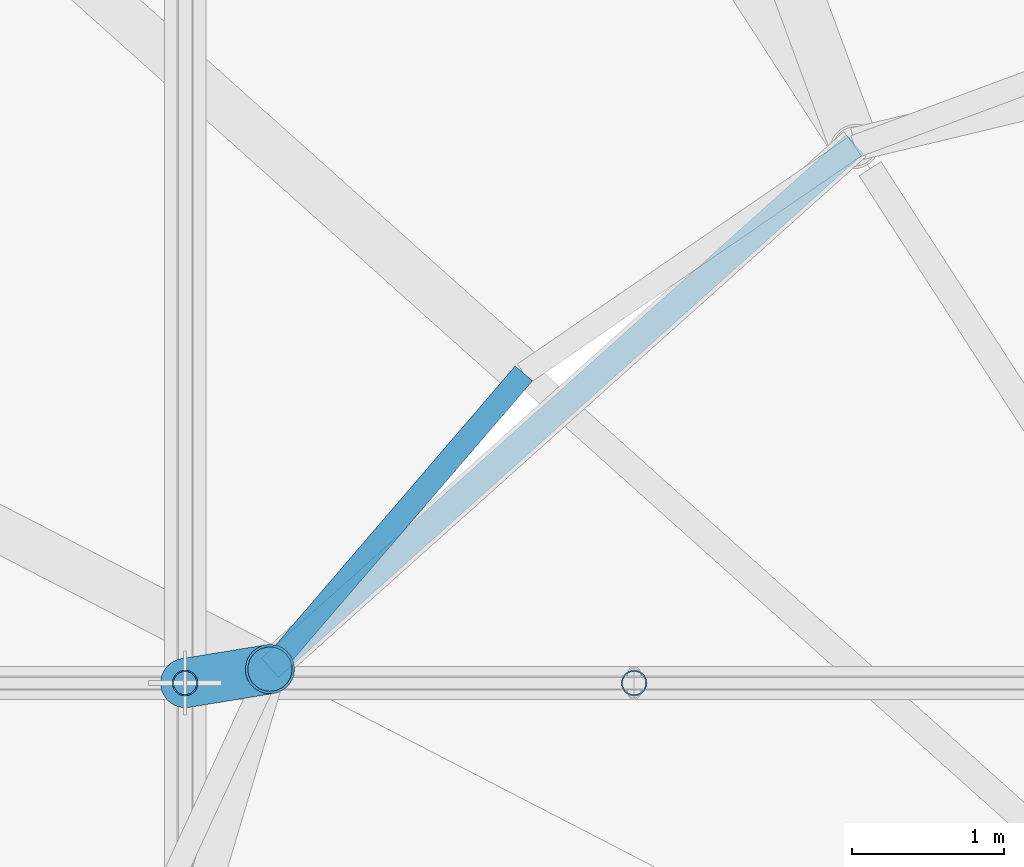
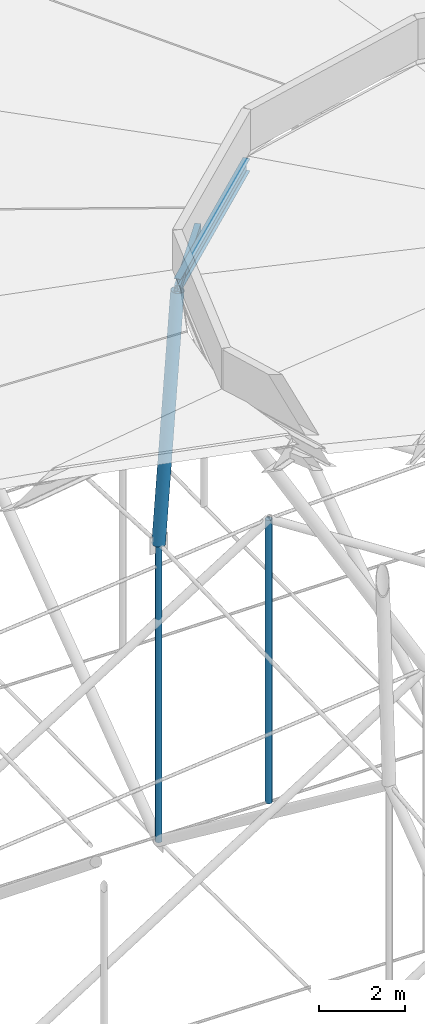
# One storey, part 53 of 173: 4 members, 1 beam.
"""IFC4 building model written with IfcOpenShell, lengths in metres."""

from ifc_helpers import new_model, si_unit, direction, frame, origin, origin_2d, place, context, subcontext, project, spatial, hollow_rectangle, hollow_circle, i_section, extrude, material, material_profile, profile_set, type_object, element, save


model = new_model("IFC4")

# Units and contexts
model_context = context("Model", 3, precision=1e-05, world=origin(), true_north=direction((0.0, 1.0)))
body_context = subcontext(model_context, "Body", "Model", "MODEL_VIEW")
ifc_project = project(units=[si_unit("LENGTHUNIT", "METRE"), si_unit("AREAUNIT", "SQUARE_METRE"), si_unit("VOLUMEUNIT", "CUBIC_METRE"), si_unit("PLANEANGLEUNIT", "RADIAN"), si_unit("MASSUNIT", "GRAM", prefix="KILO")], contexts=[model_context])

# Site, building, storey
site_placement = place(None, origin())
site = spatial("IfcSite", under=ifc_project, at=site_placement, CompositionType="ELEMENT")
building_placement = place(site_placement, origin())
building = spatial("IfcBuilding", under=site, at=building_placement, Name="Glasvene Arena", CompositionType="ELEMENT")
storey_placement = place(building_placement, frame((0.0, 0.0, 28.800048828125)))
storey = spatial("IfcBuildingStorey", under=building, at=storey_placement, Name="RF", CompositionType="ELEMENT", Elevation=28.800048828125)

# Beam
ifc_material = material(Name="Steel S355J2", Category="steel")
ifc_material_profile_1 = material_profile(ifc_material, i_section(OverallWidth=0.17138671875, OverallDepth=0.35498046875, WebThickness=0.00732421875, FlangeThickness=0.011474609375, FilletRadius=0.01025390625, at=origin_2d()), Name="UKB 356x171x51")
ifc_profile_set_1 = profile_set([ifc_material_profile_1], Name="Steel S355J2")
beam_type = type_object("IfcBeamType", Name="BM-JOIST-356", PredefinedType="JOIST", material=ifc_profile_set_1)
beam_placement = place(storey_placement, frame((80.949951171875, 76.54052734375, 13.079833984375), z_axis=(-0.74507541556, -0.666980228438, 0.0), x_axis=(0.666980228438, -0.74507541556, 0.0)))
element("IfcBeam", 1, at=beam_placement, inside=storey, type_object=beam_type, Name="Crown lantern perimeter ring beam 05", PredefinedType="JOIST", context=body_context, shape_type="SweptSolid", body=[
    extrude(i_section(OverallWidth=0.17138671875, OverallDepth=0.35498046875, WebThickness=0.00732421875, FlangeThickness=0.011474609375, FilletRadius=0.01025390625, at=origin_2d()), origin(), (0.0, 0.0, 1.0), 5.158203125),
])

# Members
ifc_material_profile_2 = material_profile(ifc_material, hollow_circle(Radius=0.161865234375, WallThickness=0.01611328125, at=origin_2d()), Name="CHS 323.9x16.0")
ifc_profile_set_2 = profile_set([ifc_material_profile_2], Name="Steel S355J2")
member_type_1 = type_object("IfcMemberType", Name="MB-POST-CHS324", PredefinedType="BRACE", material=ifc_profile_set_2)
member_1_placement = place(storey_placement, frame((76.54931640625, 73.0, 6.02001953125), z_axis=(0.080141523104, 0.013163850707, 0.996696568324), x_axis=(-0.162085530989, 0.986776712658, 0.0)))
element("IfcMember", 2, at=member_1_placement, inside=storey, type_object=member_type_1, Name="Petal ring 5 ridge support post 11", PredefinedType="BRACE", context=body_context, shape_type="SweptSolid", body=[
    extrude(hollow_circle(Radius=0.161865234375, WallThickness=0.01611328125, at=origin_2d()), origin(), (0.0, 0.0, 1.0), 6.954833984375),
])
ifc_material_profile_3 = material_profile(ifc_material, hollow_rectangle(XDim=0.14990234375, YDim=0.25, WallThickness=0.010009765625, at=origin_2d()), Name="RHS 250x150x10.0")
ifc_profile_set_3 = profile_set([ifc_material_profile_3], Name="Steel S355J2")
member_type_2 = type_object("IfcMemberType", Name="MB-PURLIN-RHS250", PredefinedType="PURLIN", material=ifc_profile_set_3)
member_2_placement = place(storey_placement, frame((78.775390625, 75.034912109375, 12.951904296875), z_axis=(-0.651458307, -0.758684436535, 0.0), x_axis=(0.758684436535, -0.651458307, 0.0)))
element("IfcMember", 3, at=member_2_placement, inside=storey, type_object=member_type_2, Name="Petal ring 5 ridge purlin 10", PredefinedType="PURLIN", context=body_context, shape_type="SweptSolid", body=[
    extrude(hollow_rectangle(XDim=0.14990234375, YDim=0.25, WallThickness=0.010009765625, at=origin_2d()), origin(), (0.0, 0.0, 1.0), 2.5615234375),
])
ifc_material_profile_4 = material_profile(ifc_material, hollow_circle(Radius=0.084228515625, WallThickness=0.008056640625, at=origin_2d()), Name="CHS 168.3x8.0")
ifc_profile_set_4 = profile_set([ifc_material_profile_4], Name="Steel S355J2")
member_type_3 = type_object("IfcMemberType", Name="MB-WEB-CHS168", PredefinedType="BRACE", material=ifc_profile_set_4)
member_3_placement = place(storey_placement, frame((76.54931640625, 73.0, -2.400146484375), z_axis=(0.0, 0.0, 1.0), x_axis=(1.0, 0.0, 0.0)))
element("IfcMember", 4, at=member_3_placement, inside=storey, type_object=member_type_3, Name="Cable-truss vertical strut NS07-04", PredefinedType="BRACE", context=body_context, shape_type="SweptSolid", body=[
    extrude(hollow_circle(Radius=0.084228515625, WallThickness=0.008056640625, at=origin_2d()), origin(), (0.0, 0.0, 1.0), 8.420166015625),
])
member_4_placement = place(storey_placement, frame((79.5, 73.0, -2.328125), z_axis=(0.0, 0.0, 1.0), x_axis=(1.0, 0.0, 0.0)))
element("IfcMember", 5, at=member_4_placement, inside=storey, type_object=member_type_3, Name="Cable-truss vertical strut EW04-03", PredefinedType="BRACE", context=body_context, shape_type="SweptSolid", body=[
    extrude(hollow_circle(Radius=0.084228515625, WallThickness=0.008056640625, at=origin_2d()), origin(), (0.0, 0.0, 1.0), 8.0185546875),
])

save(model, "model.ifc")
